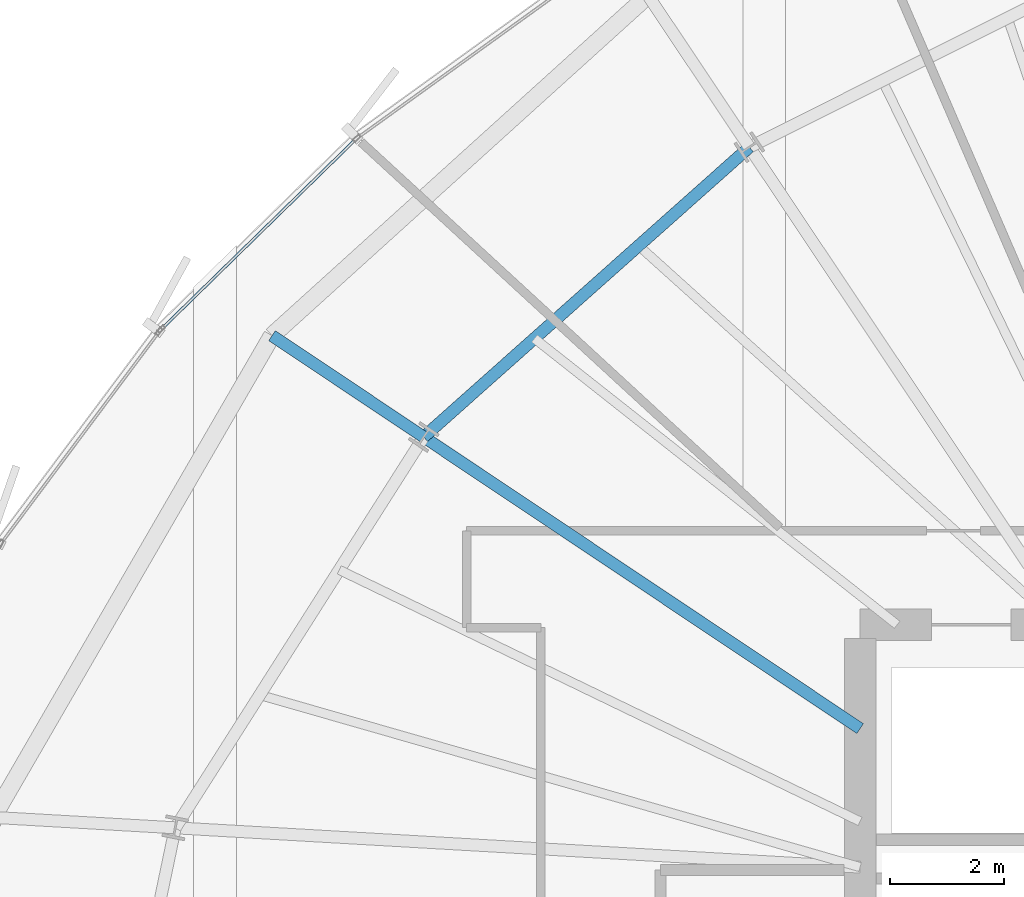
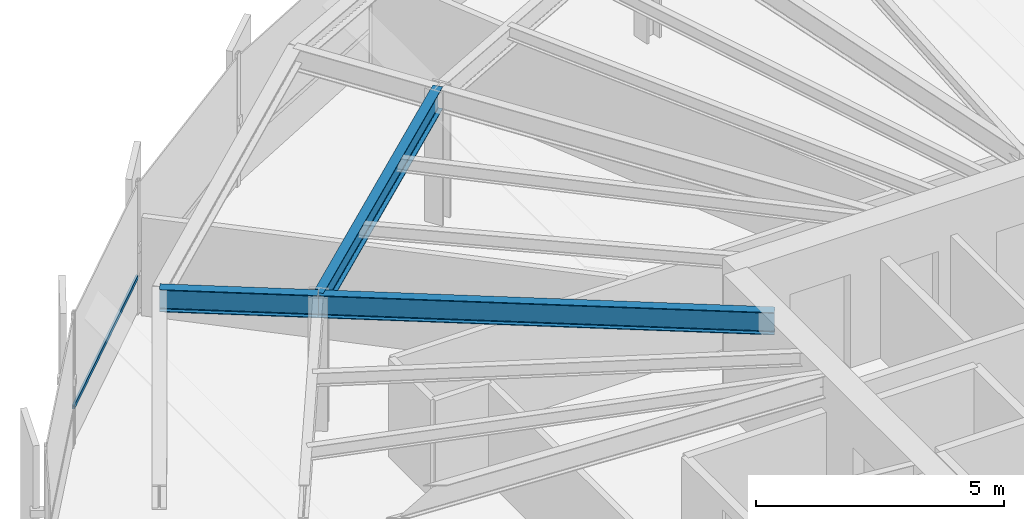
# One storey, part 17 of 34: 3 beams, 1 member, 1 element without a shape of its own.
"""IFC4 building model written with IfcOpenShell, lengths in metres."""

from ifc_helpers import new_model, si_unit, direction, frame, origin, origin_2d, place, context, subcontext, project, spatial, hollow_rectangle, i_section, extrude, source, transform, mapped, material, layer, layer_set, material_profile, profile_set, type_object, element, aggregate, save


model = new_model("IFC4")

# Units and contexts
model_context = context("Model", 3, precision=1e-05, world=origin(), true_north=direction((0.0, 1.0)))
body_context = subcontext(model_context, "Body", "Model", "MODEL_VIEW")
ifc_project = project(units=[si_unit("LENGTHUNIT", "METRE"), si_unit("AREAUNIT", "SQUARE_METRE"), si_unit("VOLUMEUNIT", "CUBIC_METRE"), si_unit("PLANEANGLEUNIT", "RADIAN"), si_unit("MASSUNIT", "GRAM", prefix="KILO"), si_unit("THERMODYNAMICTEMPERATUREUNIT", "KELVIN")], contexts=[model_context])

# Site, building, storey
site_placement = place(None, origin())
site = spatial("IfcSite", under=ifc_project, at=site_placement, CompositionType="ELEMENT")
building_placement = place(site_placement, origin())
building = spatial("IfcBuilding", under=site, at=building_placement, Name="Kethvar Cultural Tower", CompositionType="ELEMENT")
storey_placement = place(building_placement, frame((0.0, 0.0, 128.800048828125)))
storey = spatial("IfcBuildingStorey", under=building, at=storey_placement, Name="L32", CompositionType="ELEMENT", Elevation=128.800048828125)

# Beams
ifc_material_1 = material(Name="Steel S355J2", Category="steel")
ifc_material_profile_1 = material_profile(ifc_material_1, i_section(OverallWidth=0.2099609375, OverallDepth=0.550048828125, WebThickness=0.010986328125, FlangeThickness=0.01708984375, FilletRadius=0.02392578125, at=origin_2d()), Name="Steel S355J2 — IPE550")
ifc_profile_set_1 = profile_set([ifc_material_profile_1], Name="Steel S355J2 — IPE550")
beam_type = type_object("IfcBeamType", Name="BM-IPE550", PredefinedType="BEAM", material=ifc_profile_set_1)
shared_shape_1 = source(origin(), body_context, "Body", "SweptSolid", [
    extrude(i_section(OverallWidth=0.2099609375, OverallDepth=0.550048828125, WebThickness=0.010986328125, FlangeThickness=0.01708984375, FilletRadius=0.02392578125, at=origin_2d()), origin(), (0.0, 0.0, 1.0), 3.199951171875),
])
beam_1_placement = place(storey_placement, frame((30.345947265625, 38.794189453125, 3.02294921875), z_axis=(-0.831462943996, 0.555580212716, 0.0), x_axis=(-0.555580212716, -0.831462943996, 0.0)))
element("IfcBeam", 1, at=beam_1_placement, inside=storey, type_object=beam_type, Name="L32 Perimeter Cantilever Beam RC-07", PredefinedType="BEAM", context=body_context, shape_type="MappedRepresentation", body=[
    mapped(shared_shape_1, transform((0.0, 0.0, 0.0), scale=1.0)),
])
shared_shape_2 = source(origin(), body_context, "Body", "SweptSolid", [
    extrude(i_section(OverallWidth=0.2099609375, OverallDepth=0.550048828125, WebThickness=0.010986328125, FlangeThickness=0.01708984375, FilletRadius=0.02392578125, at=origin_2d()), origin(), (0.0, 0.0, 1.0), 9.205322265625),
])
beam_2_placement = place(storey_placement, frame((38.0, 33.679931640625, 3.02294921875), z_axis=(-0.831470451236, 0.555568977465, 0.0), x_axis=(-0.555568977465, -0.831470451236, 0.0)))
element("IfcBeam", 2, at=beam_2_placement, inside=storey, type_object=beam_type, Name="L32 Primary Radial Beam RB-07", PredefinedType="BEAM", context=body_context, shape_type="MappedRepresentation", body=[
    mapped(shared_shape_2, transform((0.0, 0.0, 0.0), scale=1.0)),
])
shared_shape_3 = source(origin(), body_context, "Body", "SweptSolid", [
    extrude(i_section(OverallWidth=0.2099609375, OverallDepth=0.550048828125, WebThickness=0.010986328125, FlangeThickness=0.01708984375, FilletRadius=0.02392578125, at=origin_2d()), origin(), (0.0, 0.0, 1.0), 7.64599609375),
])
beam_3_placement = place(storey_placement, frame((36.0576171875, 43.877197265625, 3.02294921875), z_axis=(-0.747021617367, -0.66479974668, 0.0), x_axis=(0.66479974668, -0.747021617367, 0.0)))
element("IfcBeam", 3, at=beam_3_placement, inside=storey, type_object=beam_type, Name="L32 Column Ring Tie Beam CR-06", PredefinedType="BEAM", context=body_context, shape_type="MappedRepresentation", body=[
    mapped(shared_shape_3, transform((0.0, 0.0, 0.0), scale=1.0)),
])

# Curtain wall, member
ifc_material_2 = material(Name="Aluminium 6063-T6", Category="aluminium")
ifc_layer = layer(ifc_material_2, 0.179931640625, Name="Aluminium 6063-T6", Category="aluminium")
ifc_layer_set = layer_set([ifc_layer], Name="Aluminium 6063-T6 (180 mm)")
curtain_wall_type = type_object("IfcCurtainWallType", Name="CW-SYS-04-Z34", PredefinedType="NOTDEFINED", material=ifc_layer_set)
curtain_wall_placement = place(storey_placement, origin())
curtain_wall = element("IfcCurtainWall", 4, at=curtain_wall_placement, inside=storey, type_object=curtain_wall_type, Name="L32 Curtain Wall Run 02", PredefinedType="NOTDEFINED")
ifc_material_profile_2 = material_profile(ifc_material_2, hollow_rectangle(XDim=0.050048828125, YDim=0.10009765625, WallThickness=0.00390625, at=origin_2d()), Name="Aluminium 6063-T6 — RHS100x50x4")
ifc_profile_set_2 = profile_set([ifc_material_profile_2], Name="Aluminium 6063-T6 — RHS100x50x4")
member_type = type_object("IfcMemberType", Name="CW-SYS-04-Z34-TRN", PredefinedType="USERDEFINED", material=ifc_profile_set_2)
shared_shape_4 = source(origin(), body_context, "Body", "SweptSolid", [
    extrude(hollow_rectangle(XDim=0.050048828125, YDim=0.10009765625, WallThickness=0.00390625, at=origin_2d()), origin(), (0.0, 0.0, 1.0), 4.744140625),
])
member_placement = place(storey_placement, frame((29.142333984375, 44.004150390625, 0.949951171875), z_axis=(-0.715419848281, -0.698694812265, 0.0), x_axis=(0.698694812265, -0.715419848281, 0.0)))
member = element("IfcMember", 5, at=member_placement, type_object=member_type, Name="CW-L32-R02 Transom 6", ObjectType="TRANSOM", PredefinedType="USERDEFINED", context=body_context, shape_type="MappedRepresentation", body=[
    mapped(shared_shape_4, transform((0.0, 0.0, 0.0), scale=1.0)),
])
aggregate(curtain_wall, [member])

save(model, "model.ifc")
